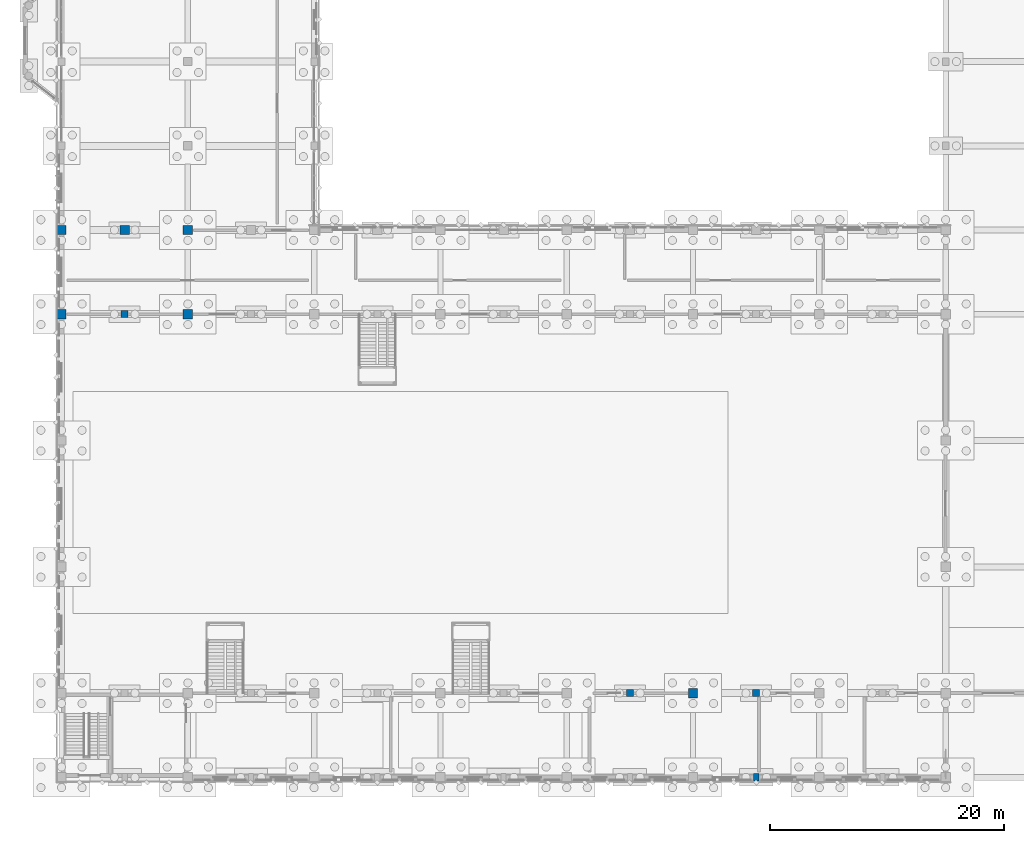
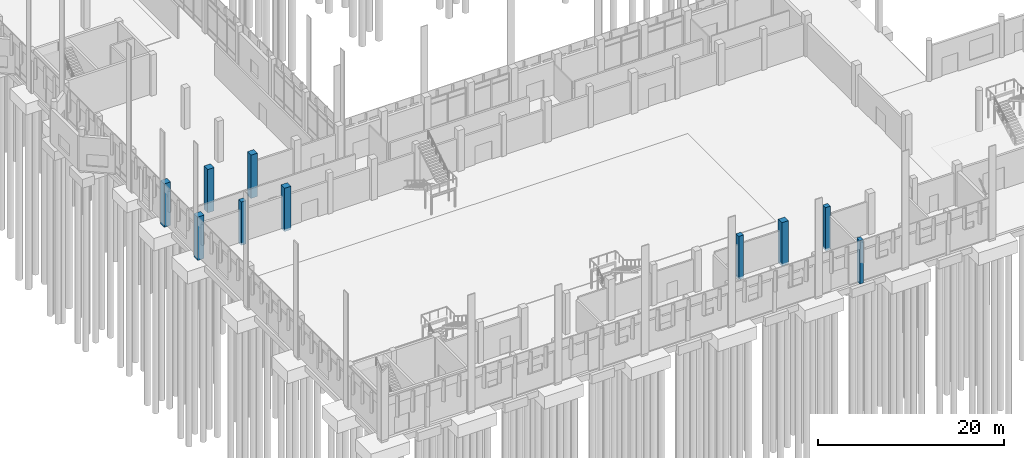
# One storey, part 15 of 109: 10 columns.
"""IFC4 building model written with IfcOpenShell, lengths in metres."""

import ifcopenshell
import ifcopenshell.guid

model = None  # the IFC model being written
_history = None  # IfcOwnerHistory: only IFC2X3 demands one
_inside = {}  # id of a spatial element -> (the spatial element, [elements in it])
_under = {}  # id of a project, library or spatial element -> (it, [spatial elements below it])
_declared = {}  # id of a project -> (the project, [libraries it declares])
_typed = {}  # id of a type object -> (the type object, [elements of that type])
_made_of = {}  # id of a material, layer set ... -> (it, [elements and type objects made of it])


def new_model(schema):
    """Start an empty IFC model of exactly this schema.

    Asked for "IFC4X3", IfcOpenShell would pick the latest addendum, in which some entities
    have other attributes; the version numbers below select the first issue.
    IFC2X3 requires an IfcOwnerHistory on every rooted entity: one is made here for all.
    """
    global model, _history
    if schema == "IFC4X3":
        model = ifcopenshell.file(schema_version=(4, 3, 0, 0))
    else:
        model = ifcopenshell.file(schema=schema)
    _inside.clear()
    _under.clear()
    _declared.clear()
    _typed.clear()
    _made_of.clear()
    _history = None
    if model.schema == "IFC2X3":
        org = make("IfcOrganization", Name="unknown")
        user = make(
            "IfcPersonAndOrganization",
            ThePerson=make("IfcPerson", FamilyName="unknown"),
            TheOrganization=org,
        )
        app = make(
            "IfcApplication",
            ApplicationDeveloper=org,
            Version="unknown",
            ApplicationFullName="unknown",
            ApplicationIdentifier="unknown",
        )
        _history = make(
            "IfcOwnerHistory",
            OwningUser=user,
            OwningApplication=app,
            ChangeAction="ADDED",
            CreationDate=0,
        )
    return model


def make(cls, **values):
    """One entity of the class cls with the attributes given. An attribute that is None is left unset."""
    return model.create_entity(
        cls, **{name: value for name, value in values.items() if value is not None}
    )


def rooted(cls, **values):
    """An entity with a GlobalId (a new one), such as an element, a storey or a relation."""
    return make(cls, GlobalId=ifcopenshell.guid.new(), OwnerHistory=_history, **values)


def si_unit(unit_type, name, prefix=None):
    """IfcSIUnit, for example si_unit("LENGTHUNIT", "METRE", prefix="MILLI")."""
    return make("IfcSIUnit", UnitType=unit_type, Prefix=prefix, Name=name)


def assignment(units):
    """IfcUnitAssignment: the units of a project."""
    return None if units is None else make("IfcUnitAssignment", Units=units)


def point(xyz):
    """IfcCartesianPoint."""
    return None if xyz is None else make("IfcCartesianPoint", Coordinates=xyz)


def direction(xyz):
    """IfcDirection."""
    return None if xyz is None else make("IfcDirection", DirectionRatios=xyz)


def frame(location, z_axis=None, x_axis=None):
    """IfcAxis2Placement3D, a coordinate frame: its origin and axes. An axis left out is left unset."""
    return make(
        "IfcAxis2Placement3D",
        Location=point(location),
        Axis=direction(z_axis),
        RefDirection=direction(x_axis),
    )


def frame_2d(location, x_axis=None):
    """IfcAxis2Placement2D, a coordinate frame in the plane: its origin and x axis."""
    return make(
        "IfcAxis2Placement2D", Location=point(location), RefDirection=direction(x_axis)
    )


def origin():
    """The frame at (0, 0, 0) with its axes left unset."""
    return frame((0.0, 0.0, 0.0))


def origin_2d():
    """The frame at (0, 0) in the plane with its x axis left unset."""
    return frame_2d((0.0, 0.0))


def place(relative_to, where):
    """IfcLocalPlacement: puts the frame where relative to a parent placement (None: the world)."""
    return make(
        "IfcLocalPlacement", PlacementRelTo=relative_to, RelativePlacement=where
    )


def context(
    kind, dimensions, precision=None, world=None, true_north=None, identifier=None
):
    """IfcGeometricRepresentationContext, for example the 3D "Model" context."""
    return make(
        "IfcGeometricRepresentationContext",
        ContextIdentifier=identifier,
        ContextType=kind,
        CoordinateSpaceDimension=dimensions,
        Precision=precision,
        WorldCoordinateSystem=world,
        TrueNorth=true_north,
    )


def subcontext(parent, identifier, kind, view, scale=None):
    """IfcGeometricRepresentationSubContext, for example "Body" below "Model"."""
    return make(
        "IfcGeometricRepresentationSubContext",
        ContextIdentifier=identifier,
        ContextType=kind,
        ParentContext=parent,
        TargetScale=scale,
        TargetView=view,
    )


def project(units=None, contexts=None):
    """IfcProject with its units and contexts."""
    return rooted(
        "IfcProject",
        Name="project",
        RepresentationContexts=contexts,
        UnitsInContext=assignment(units),
    )


def spatial(cls, under=None, at=None, **own):
    """A site, building, storey or space (cls), placed at a placement, below another one or the project."""
    s = rooted(cls, ObjectPlacement=at, **own)
    if under is not None:
        _under.setdefault(under.id(), (under, []))[1].append(s)
    return s


def profile(cls, at=None, kind="AREA", **sizes):
    """A parametric profile (cls). Its sizes go by their IFC names, for example OverallWidth=200.0."""
    return make(cls, ProfileType=kind, Position=at, **sizes)


def rectangle(**sizes):
    """IfcRectangleProfileDef."""
    return profile("IfcRectangleProfileDef", **sizes)


def extrude(swept, where, along, depth):
    """IfcExtrudedAreaSolid: the profile swept, set in the frame where, extruded along a direction by depth."""
    return make(
        "IfcExtrudedAreaSolid",
        SweptArea=swept,
        Position=where,
        ExtrudedDirection=direction(along),
        Depth=depth,
    )


def shape(context_of_items, identifier, shape_type, items):
    """IfcShapeRepresentation: the items that make up one representation, for example the "Body"."""
    return make(
        "IfcShapeRepresentation",
        ContextOfItems=context_of_items,
        RepresentationIdentifier=identifier,
        RepresentationType=shape_type,
        Items=items,
    )


def material(Name=None, Category=None):
    """IfcMaterial."""
    return make("IfcMaterial", Name=Name, Category=Category)


def material_profile(
    of_material, cross_section, Name=None, Category=None, Priority=None
):
    """IfcMaterialProfile: a cross section and its material."""
    return make(
        "IfcMaterialProfile",
        Name=Name,
        Material=of_material,
        Profile=cross_section,
        Priority=Priority,
        Category=Category,
    )


def profile_set(profiles, Name=None, composite=None):
    """IfcMaterialProfileSet."""
    return make(
        "IfcMaterialProfileSet",
        Name=Name,
        MaterialProfiles=profiles,
        CompositeProfile=composite,
    )


def made_of(thing, what):
    """Note that an element or type object is made of a material, layer set ...; save() writes the relation."""
    if what is not None:
        _made_of.setdefault(what.id(), (what, []))[1].append(thing)
    return thing


def type_object(cls, material=None, **own):
    """A type object (cls), such as IfcWallType, which elements share."""
    return made_of(rooted(cls, **own), material)


def element(
    cls,
    number,
    at=None,
    inside=None,
    cuts=None,
    type_object=None,
    material=None,
    context=None,
    identifier="Body",
    shape_type=None,
    held_by="IfcProductDefinitionShape",
    body=None,
    shapes=None,
    **own,
):
    """One element of the class cls, such as IfcWall. Its Tag is "e" and its number.

    at: its placement. inside: the storey or other place that contains it. cuts: it is an
    opening in that element (IfcRelVoidsElement). A single representation is given by context,
    identifier, shape_type and body (its items); several are given by shapes. held_by: the class
    of the entity that holds the representations. save() writes the other relations.
    """
    e = rooted(cls, Tag="e%d" % number, ObjectPlacement=at, **own)
    if body is not None:
        shapes = [shape(context, identifier, shape_type, body)]
    if shapes is not None:
        e.Representation = make(held_by, Representations=shapes)
    if inside is not None:
        _inside.setdefault(inside.id(), (inside, []))[1].append(e)
    if cuts is not None:
        rooted(
            "IfcRelVoidsElement", RelatingBuildingElement=cuts, RelatedOpeningElement=e
        )
    if type_object is not None:
        _typed.setdefault(type_object.id(), (type_object, []))[1].append(e)
    return made_of(e, material)


def aggregate(whole, parts):
    """IfcRelAggregates: a whole, such as a stair, and the parts it consists of."""
    return rooted("IfcRelAggregates", RelatingObject=whole, RelatedObjects=parts)


def save(model, path):
    """Write the relations noted so far, then the file.

    IfcRelAggregates (storeys below a building ...), IfcRelContainedInSpatialStructure (elements
    in a storey), IfcRelDefinesByType, IfcRelAssociatesMaterial and IfcRelDeclares: one each for
    every whole, place, type object, material and project.
    """
    for whole, parts in _under.values():
        aggregate(whole, parts)
    for where, things in _inside.values():
        rooted(
            "IfcRelContainedInSpatialStructure",
            RelatedElements=things,
            RelatingStructure=where,
        )
    for kind, things in _typed.values():
        rooted("IfcRelDefinesByType", RelatedObjects=things, RelatingType=kind)
    for what, things in _made_of.values():
        rooted("IfcRelAssociatesMaterial", RelatedObjects=things, RelatingMaterial=what)
    for by, libraries in _declared.values():
        rooted("IfcRelDeclares", RelatingContext=by, RelatedDefinitions=libraries)
    model.write(path)


model = new_model("IFC4")

# Units and contexts
model_context = context("Model", 3, precision=1e-05, world=origin(), true_north=direction((0.0, 1.0)))
body_context = subcontext(model_context, "Body", "Model", "MODEL_VIEW")
ifc_project = project(units=[si_unit("LENGTHUNIT", "METRE"), si_unit("AREAUNIT", "SQUARE_METRE"), si_unit("VOLUMEUNIT", "CUBIC_METRE"), si_unit("PLANEANGLEUNIT", "RADIAN"), si_unit("MASSUNIT", "GRAM", prefix="KILO")], contexts=[model_context])

# Site, building, storey
site_placement = place(None, origin())
site = spatial("IfcSite", under=ifc_project, at=site_placement, CompositionType="ELEMENT")
building_placement = place(site_placement, origin())
building = spatial("IfcBuilding", under=site, at=building_placement, Name="Lusvemor Sports Hall", CompositionType="ELEMENT")
storey_placement = place(building_placement, origin())
storey = spatial("IfcBuildingStorey", under=building, at=storey_placement, Name="L00", CompositionType="ELEMENT", Elevation=0.0)

# Columns
ifc_material_1 = material(Name="Concrete C40/50", Category="concrete")
ifc_material_profile_1 = material_profile(ifc_material_1, rectangle(XDim=0.800048828125, YDim=0.800048828125, at=origin_2d()), Name="RC800x800")
ifc_profile_set_1 = profile_set([ifc_material_profile_1], Name="Concrete C40/50")
column_type_1 = type_object("IfcColumnType", Name="COL_HALL_W", PredefinedType="COLUMN", material=ifc_profile_set_1)
for number, where, z_axis, x_axis, name in (
    (1, (0.0, 39.60009765625, -0.300048828125), (0.0, 0.0, 1.0), (1.0, 0.0, 0.0), "Column 1/E (L00)"),
    (2, (0.0, 46.800048828125, -0.300048828125), (0.0, 0.0, 1.0), (1.0, 0.0, 0.0), "Column 1/F (L00)"),
    (3, (10.800048828125, 39.60009765625, -0.300048828125), (0.0, 0.0, 1.0), (1.0, 0.0, 0.0), "Column 2/E (L00)"),
    (4, (10.800048828125, 46.800048828125, -0.300048828125), (0.0, 0.0, 1.0), (1.0, 0.0, 0.0), "Column 2/F (L00)"),
    (5, (54.0, 7.199951171875, -0.300048828125), (0.0, 0.0, 1.0), (1.0, 0.0, 0.0), "Column 6/B (L00)"),
    (6, (5.39990234375, 46.800048828125, -0.300048828125), (0.0, 0.0, 1.0), (1.0, 0.0, 0.0), "Wave North Eave Column N1 (L00)"),
):
    element("IfcColumn", number, at=place(storey_placement, frame(where, z_axis=z_axis, x_axis=x_axis)), inside=storey, type_object=column_type_1, Name=name, PredefinedType="COLUMN", context=body_context, shape_type="SweptSolid", body=[
        extrude(rectangle(XDim=0.800048828125, YDim=0.800048828125, at=origin_2d()), origin(), (0.0, 0.0, 1.0), 5.699951171875),
    ])
ifc_material_2 = material(Name="Concrete C40/50", Category="concrete")
ifc_material_profile_2 = material_profile(ifc_material_2, rectangle(XDim=0.60009765625, YDim=0.60009765625, at=origin_2d()), Name="RC600x600")
ifc_profile_set_2 = profile_set([ifc_material_profile_2], Name="Concrete C40/50")
column_type_2 = type_object("IfcColumnType", Name="COL_WING_L", PredefinedType="COLUMN", material=ifc_profile_set_2)
for number, where, z_axis, x_axis, name in (
    (7, (5.39990234375, 39.60009765625, -0.300048828125), (0.0, 0.0, 1.0), (1.0, 0.0, 0.0), "Wave Mid-Bay Column N1 (L00)"),
    (8, (48.60009765625, 7.199951171875, -0.300048828125), (0.0, 0.0, 1.0), (1.0, 0.0, 0.0), "Wave Mid-Bay Column S5 (L00)"),
    (9, (59.39990234375, 7.199951171875, -0.300048828125), (0.0, 0.0, 1.0), (1.0, 0.0, 0.0), "Wave Mid-Bay Column S6 (L00)"),
):
    element("IfcColumn", number, at=place(storey_placement, frame(where, z_axis=z_axis, x_axis=x_axis)), inside=storey, type_object=column_type_2, Name=name, PredefinedType="COLUMN", context=body_context, shape_type="SweptSolid", body=[
        extrude(rectangle(XDim=0.60009765625, YDim=0.60009765625, at=origin_2d()), origin(), (0.0, 0.0, 1.0), 5.699951171875),
    ])
ifc_material_3 = material(Name="Concrete C40/50", Category="concrete")
ifc_material_profile_3 = material_profile(ifc_material_3, rectangle(XDim=0.449951171875, YDim=0.64990234375, at=origin_2d()), Name="RC450x650")
ifc_profile_set_3 = profile_set([ifc_material_profile_3], Name="Concrete C40/50")
column_type_3 = type_object("IfcColumnType", Name="PIL_BOUL_E", PredefinedType="PILASTER", material=ifc_profile_set_3)
column_placement = place(storey_placement, frame((59.39990234375, 0.0, -0.300048828125), z_axis=(0.0, 0.0, 1.0), x_axis=(1.0, 0.0, 0.0)))
element("IfcColumn", 10, at=column_placement, inside=storey, type_object=column_type_3, Name="Boulevard Pilaster S5 (L00)", PredefinedType="PILASTER", context=body_context, shape_type="SweptSolid", body=[
    extrude(rectangle(XDim=0.449951171875, YDim=0.64990234375, at=origin_2d()), origin(), (0.0, 0.0, 1.0), 5.699951171875),
])

save(model, "model.ifc")
